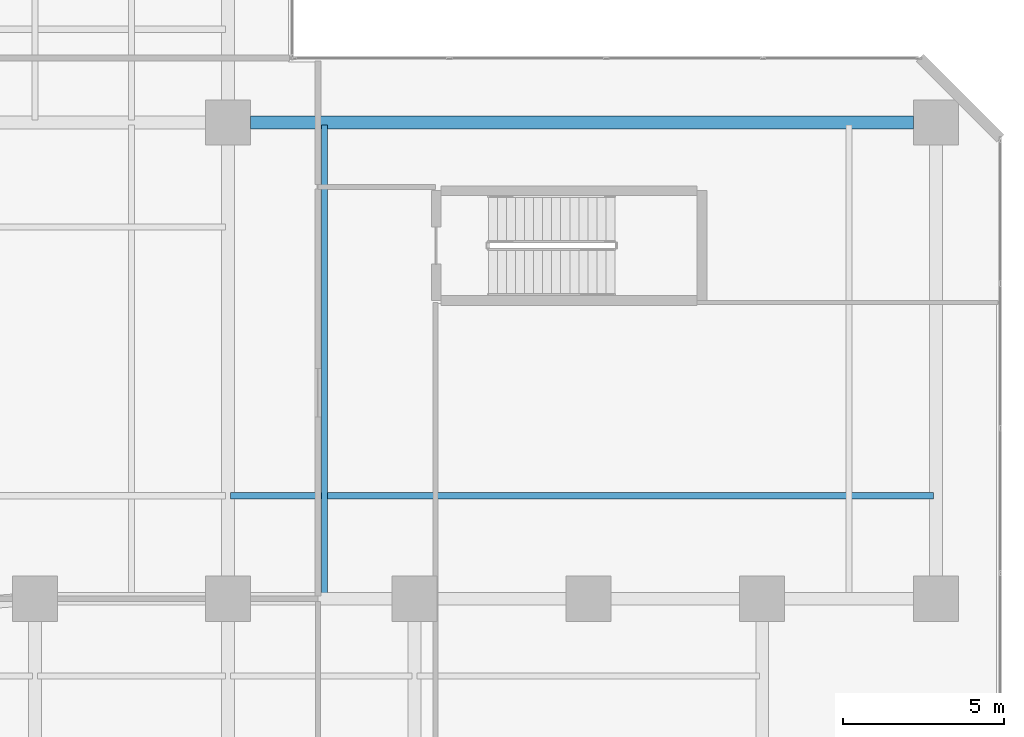
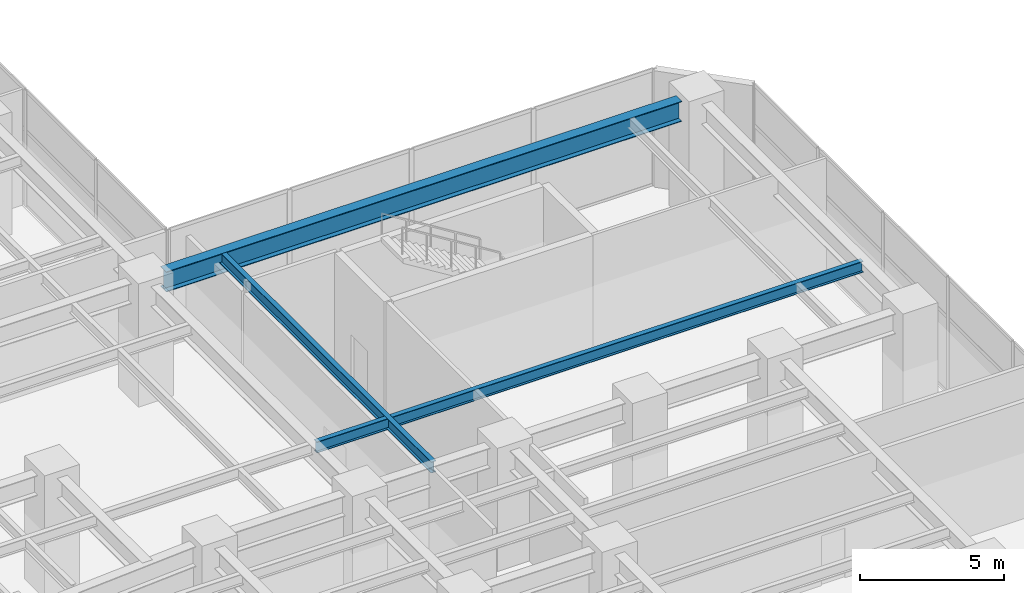
# One storey, part 3 of 22: 3 beams.
"""IFC4 building model written with IfcOpenShell, lengths in metres."""

from ifc_helpers import new_model, si_unit, direction, frame, origin, origin_2d, place, context, subcontext, project, spatial, i_section, extrude, material, material_profile, profile_set, type_object, element, save


model = new_model("IFC4")

# Units and contexts
model_context = context("Model", 3, precision=1e-05, world=origin(), true_north=direction((0.0, 1.0)))
body_context = subcontext(model_context, "Body", "Model", "MODEL_VIEW")
ifc_project = project(units=[si_unit("LENGTHUNIT", "METRE"), si_unit("AREAUNIT", "SQUARE_METRE"), si_unit("VOLUMEUNIT", "CUBIC_METRE"), si_unit("PLANEANGLEUNIT", "RADIAN"), si_unit("MASSUNIT", "GRAM", prefix="KILO")], contexts=[model_context])

# Site, building, storey
site_placement = place(None, origin())
site = spatial("IfcSite", under=ifc_project, at=site_placement, CompositionType="ELEMENT")
building_placement = place(site_placement, origin())
building = spatial("IfcBuilding", under=site, at=building_placement, Name="Mawjaban Terraces University", CompositionType="ELEMENT")
storey_placement = place(building_placement, frame((0.0, 0.0, 10.39990234375)))
storey = spatial("IfcBuildingStorey", under=building, at=storey_placement, Name="L02", CompositionType="ELEMENT", Elevation=10.39990234375)

# Beams
ifc_material = material(Name="Steel ASTM A572 Grade 50", Category="steel")
ifc_material_profile_1 = material_profile(ifc_material, i_section(OverallWidth=0.39990234375, OverallDepth=0.85498046875, WebThickness=0.018310546875, FlangeThickness=0.029296875, at=origin_2d()), Name="W840X299")
ifc_profile_set_1 = profile_set([ifc_material_profile_1], Name="Steel ASTM A572 Grade 50")
beam_type_1 = type_object("IfcBeamType", Name="Beam_B_W840X299", PredefinedType="BEAM", material=ifc_profile_set_1)
beam_1_placement = place(storey_placement, frame((52.699951171875, 30.0, 4.4931640625), z_axis=(1.0, 0.0, 0.0), x_axis=(0.0, 1.0, 0.0)))
element("IfcBeam", 1, at=beam_1_placement, inside=storey, type_object=beam_type_1, Name="L02 Beam BM-L02-EW-14", PredefinedType="BEAM", context=body_context, shape_type="SweptSolid", body=[
    extrude(i_section(OverallWidth=0.39990234375, OverallDepth=0.85498046875, WebThickness=0.018310546875, FlangeThickness=0.029296875, at=origin_2d()), origin(), (0.0, 0.0, 1.0), 20.60009765625),
])
ifc_material_profile_2 = material_profile(ifc_material, i_section(OverallWidth=0.194091796875, OverallDepth=0.468994140625, WebThickness=0.011474609375, FlangeThickness=0.0205078125, at=origin_2d()), Name="W460X106")
ifc_profile_set_2 = profile_set([ifc_material_profile_2], Name="Steel ASTM A572 Grade 50")
beam_type_2 = type_object("IfcBeamType", Name="Beam_J_W460X106", PredefinedType="JOIST", material=ifc_profile_set_2)
beam_2_placement = place(storey_placement, frame((52.080078125, 18.39990234375, 4.68505859375), z_axis=(1.0, 0.0, 0.0), x_axis=(0.0, 1.0, 0.0)))
element("IfcBeam", 2, at=beam_2_placement, inside=storey, type_object=beam_type_2, Name="L02 Composite Joist JST-L02-17", PredefinedType="JOIST", context=body_context, shape_type="SweptSolid", body=[
    extrude(i_section(OverallWidth=0.194091796875, OverallDepth=0.468994140625, WebThickness=0.011474609375, FlangeThickness=0.0205078125, at=origin_2d()), origin(), (0.0, 0.0, 1.0), 21.83984375),
])
beam_3_placement = place(storey_placement, frame((55.0, 15.280029296875, 4.68505859375), z_axis=(0.0, 1.0, 0.0), x_axis=(-1.0, 0.0, 0.0)))
element("IfcBeam", 3, at=beam_3_placement, inside=storey, type_object=beam_type_2, Name="L02 Composite Joist JST-L02-NS-33", PredefinedType="JOIST", context=body_context, shape_type="SweptSolid", body=[
    extrude(i_section(OverallWidth=0.194091796875, OverallDepth=0.468994140625, WebThickness=0.011474609375, FlangeThickness=0.0205078125, at=origin_2d()), origin(), (0.0, 0.0, 1.0), 14.639892578125),
])

save(model, "model.ifc")
